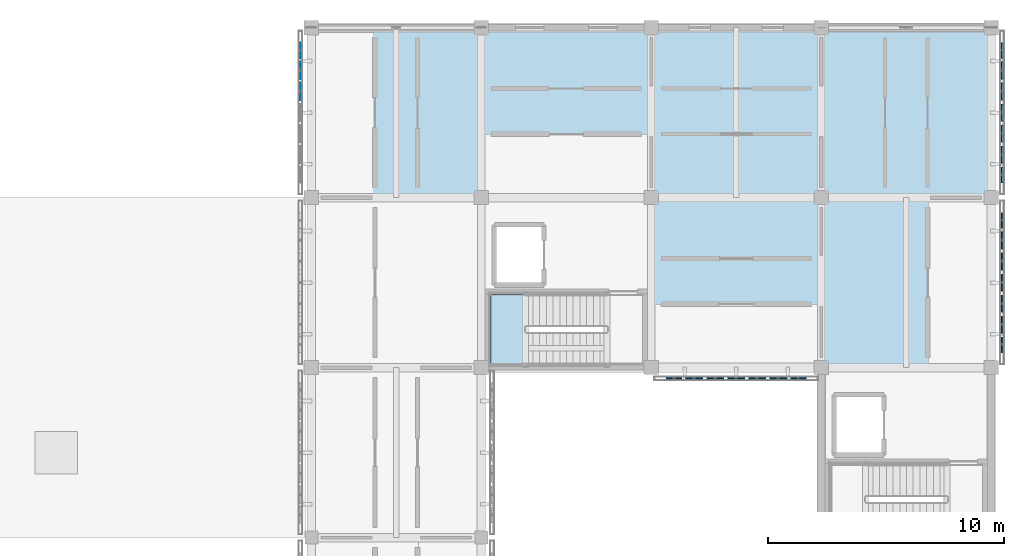
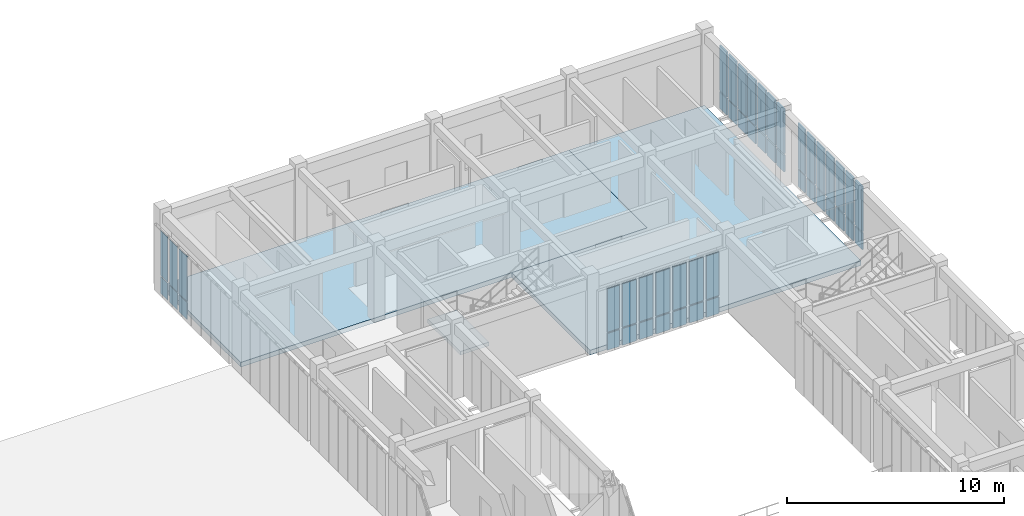
# One storey, part 61 of 91: 48 plates, 3 slabs, 5 elements without a shape of their own.
"""IFC4 building model written with IfcOpenShell, lengths in metres."""

import ifcopenshell
import ifcopenshell.guid

model = None  # the IFC model being written
_history = None  # IfcOwnerHistory: only IFC2X3 demands one
_inside = {}  # id of a spatial element -> (the spatial element, [elements in it])
_under = {}  # id of a project, library or spatial element -> (it, [spatial elements below it])
_declared = {}  # id of a project -> (the project, [libraries it declares])
_typed = {}  # id of a type object -> (the type object, [elements of that type])
_made_of = {}  # id of a material, layer set ... -> (it, [elements and type objects made of it])


def new_model(schema):
    """Start an empty IFC model of exactly this schema.

    Asked for "IFC4X3", IfcOpenShell would pick the latest addendum, in which some entities
    have other attributes; the version numbers below select the first issue.
    IFC2X3 requires an IfcOwnerHistory on every rooted entity: one is made here for all.
    """
    global model, _history
    if schema == "IFC4X3":
        model = ifcopenshell.file(schema_version=(4, 3, 0, 0))
    else:
        model = ifcopenshell.file(schema=schema)
    _inside.clear()
    _under.clear()
    _declared.clear()
    _typed.clear()
    _made_of.clear()
    _history = None
    if model.schema == "IFC2X3":
        org = make("IfcOrganization", Name="unknown")
        user = make(
            "IfcPersonAndOrganization",
            ThePerson=make("IfcPerson", FamilyName="unknown"),
            TheOrganization=org,
        )
        app = make(
            "IfcApplication",
            ApplicationDeveloper=org,
            Version="unknown",
            ApplicationFullName="unknown",
            ApplicationIdentifier="unknown",
        )
        _history = make(
            "IfcOwnerHistory",
            OwningUser=user,
            OwningApplication=app,
            ChangeAction="ADDED",
            CreationDate=0,
        )
    return model


def make(cls, **values):
    """One entity of the class cls with the attributes given. An attribute that is None is left unset."""
    return model.create_entity(
        cls, **{name: value for name, value in values.items() if value is not None}
    )


def rooted(cls, **values):
    """An entity with a GlobalId (a new one), such as an element, a storey or a relation."""
    return make(cls, GlobalId=ifcopenshell.guid.new(), OwnerHistory=_history, **values)


def si_unit(unit_type, name, prefix=None):
    """IfcSIUnit, for example si_unit("LENGTHUNIT", "METRE", prefix="MILLI")."""
    return make("IfcSIUnit", UnitType=unit_type, Prefix=prefix, Name=name)


def assignment(units):
    """IfcUnitAssignment: the units of a project."""
    return None if units is None else make("IfcUnitAssignment", Units=units)


def point(xyz):
    """IfcCartesianPoint."""
    return None if xyz is None else make("IfcCartesianPoint", Coordinates=xyz)


def direction(xyz):
    """IfcDirection."""
    return None if xyz is None else make("IfcDirection", DirectionRatios=xyz)


def frame(location, z_axis=None, x_axis=None):
    """IfcAxis2Placement3D, a coordinate frame: its origin and axes. An axis left out is left unset."""
    return make(
        "IfcAxis2Placement3D",
        Location=point(location),
        Axis=direction(z_axis),
        RefDirection=direction(x_axis),
    )


def frame_2d(location, x_axis=None):
    """IfcAxis2Placement2D, a coordinate frame in the plane: its origin and x axis."""
    return make(
        "IfcAxis2Placement2D", Location=point(location), RefDirection=direction(x_axis)
    )


def origin():
    """The frame at (0, 0, 0) with its axes left unset."""
    return frame((0.0, 0.0, 0.0))


def origin_2d():
    """The frame at (0, 0) in the plane with its x axis left unset."""
    return frame_2d((0.0, 0.0))


def place(relative_to, where):
    """IfcLocalPlacement: puts the frame where relative to a parent placement (None: the world)."""
    return make(
        "IfcLocalPlacement", PlacementRelTo=relative_to, RelativePlacement=where
    )


def context(
    kind, dimensions, precision=None, world=None, true_north=None, identifier=None
):
    """IfcGeometricRepresentationContext, for example the 3D "Model" context."""
    return make(
        "IfcGeometricRepresentationContext",
        ContextIdentifier=identifier,
        ContextType=kind,
        CoordinateSpaceDimension=dimensions,
        Precision=precision,
        WorldCoordinateSystem=world,
        TrueNorth=true_north,
    )


def subcontext(parent, identifier, kind, view, scale=None):
    """IfcGeometricRepresentationSubContext, for example "Body" below "Model"."""
    return make(
        "IfcGeometricRepresentationSubContext",
        ContextIdentifier=identifier,
        ContextType=kind,
        ParentContext=parent,
        TargetScale=scale,
        TargetView=view,
    )


def project(units=None, contexts=None):
    """IfcProject with its units and contexts."""
    return rooted(
        "IfcProject",
        Name="project",
        RepresentationContexts=contexts,
        UnitsInContext=assignment(units),
    )


def spatial(cls, under=None, at=None, **own):
    """A site, building, storey or space (cls), placed at a placement, below another one or the project."""
    s = rooted(cls, ObjectPlacement=at, **own)
    if under is not None:
        _under.setdefault(under.id(), (under, []))[1].append(s)
    return s


def polyline(points):
    """IfcPolyline through the points."""
    return make("IfcPolyline", Points=[point(p) for p in points])


def profile(cls, at=None, kind="AREA", **sizes):
    """A parametric profile (cls). Its sizes go by their IFC names, for example OverallWidth=200.0."""
    return make(cls, ProfileType=kind, Position=at, **sizes)


def rectangle(**sizes):
    """IfcRectangleProfileDef."""
    return profile("IfcRectangleProfileDef", **sizes)


def outline(outer, holes=None, kind="AREA"):
    """IfcArbitraryClosedProfileDef: a profile drawn as a closed curve; with holes, ...WithVoids."""
    if holes is None:
        return make("IfcArbitraryClosedProfileDef", ProfileType=kind, OuterCurve=outer)
    return make(
        "IfcArbitraryProfileDefWithVoids",
        ProfileType=kind,
        OuterCurve=outer,
        InnerCurves=holes,
    )


def extrude(swept, where, along, depth):
    """IfcExtrudedAreaSolid: the profile swept, set in the frame where, extruded along a direction by depth."""
    return make(
        "IfcExtrudedAreaSolid",
        SweptArea=swept,
        Position=where,
        ExtrudedDirection=direction(along),
        Depth=depth,
    )


def shape(context_of_items, identifier, shape_type, items):
    """IfcShapeRepresentation: the items that make up one representation, for example the "Body"."""
    return make(
        "IfcShapeRepresentation",
        ContextOfItems=context_of_items,
        RepresentationIdentifier=identifier,
        RepresentationType=shape_type,
        Items=items,
    )


def material(Name=None, Category=None):
    """IfcMaterial."""
    return make("IfcMaterial", Name=Name, Category=Category)


def layer(
    of_material, thickness, ventilated=None, Name=None, Category=None, Priority=None
):
    """IfcMaterialLayer: one layer of a wall or slab, of a material (None: an air gap)."""
    return make(
        "IfcMaterialLayer",
        Material=of_material,
        LayerThickness=thickness,
        IsVentilated=ventilated,
        Name=Name,
        Category=Category,
        Priority=Priority,
    )


def layer_set(layers, Name=None):
    """IfcMaterialLayerSet."""
    return make("IfcMaterialLayerSet", MaterialLayers=layers, LayerSetName=Name)


def made_of(thing, what):
    """Note that an element or type object is made of a material, layer set ...; save() writes the relation."""
    if what is not None:
        _made_of.setdefault(what.id(), (what, []))[1].append(thing)
    return thing


def type_object(cls, material=None, **own):
    """A type object (cls), such as IfcWallType, which elements share."""
    return made_of(rooted(cls, **own), material)


def element(
    cls,
    number,
    at=None,
    inside=None,
    cuts=None,
    type_object=None,
    material=None,
    context=None,
    identifier="Body",
    shape_type=None,
    held_by="IfcProductDefinitionShape",
    body=None,
    shapes=None,
    **own,
):
    """One element of the class cls, such as IfcWall. Its Tag is "e" and its number.

    at: its placement. inside: the storey or other place that contains it. cuts: it is an
    opening in that element (IfcRelVoidsElement). A single representation is given by context,
    identifier, shape_type and body (its items); several are given by shapes. held_by: the class
    of the entity that holds the representations. save() writes the other relations.
    """
    e = rooted(cls, Tag="e%d" % number, ObjectPlacement=at, **own)
    if body is not None:
        shapes = [shape(context, identifier, shape_type, body)]
    if shapes is not None:
        e.Representation = make(held_by, Representations=shapes)
    if inside is not None:
        _inside.setdefault(inside.id(), (inside, []))[1].append(e)
    if cuts is not None:
        rooted(
            "IfcRelVoidsElement", RelatingBuildingElement=cuts, RelatedOpeningElement=e
        )
    if type_object is not None:
        _typed.setdefault(type_object.id(), (type_object, []))[1].append(e)
    return made_of(e, material)


def aggregate(whole, parts):
    """IfcRelAggregates: a whole, such as a stair, and the parts it consists of."""
    return rooted("IfcRelAggregates", RelatingObject=whole, RelatedObjects=parts)


def save(model, path):
    """Write the relations noted so far, then the file.

    IfcRelAggregates (storeys below a building ...), IfcRelContainedInSpatialStructure (elements
    in a storey), IfcRelDefinesByType, IfcRelAssociatesMaterial and IfcRelDeclares: one each for
    every whole, place, type object, material and project.
    """
    for whole, parts in _under.values():
        aggregate(whole, parts)
    for where, things in _inside.values():
        rooted(
            "IfcRelContainedInSpatialStructure",
            RelatedElements=things,
            RelatingStructure=where,
        )
    for kind, things in _typed.values():
        rooted("IfcRelDefinesByType", RelatedObjects=things, RelatingType=kind)
    for what, things in _made_of.values():
        rooted("IfcRelAssociatesMaterial", RelatedObjects=things, RelatingMaterial=what)
    for by, libraries in _declared.values():
        rooted("IfcRelDeclares", RelatingContext=by, RelatedDefinitions=libraries)
    model.write(path)


model = new_model("IFC4")

# Units and contexts
model_context = context("Model", 3, precision=1e-05, world=origin(), true_north=direction((0.0, 1.0)))
body_context = subcontext(model_context, "Body", "Model", "MODEL_VIEW")
ifc_project = project(units=[si_unit("LENGTHUNIT", "METRE"), si_unit("AREAUNIT", "SQUARE_METRE"), si_unit("VOLUMEUNIT", "CUBIC_METRE"), si_unit("PLANEANGLEUNIT", "RADIAN"), si_unit("MASSUNIT", "GRAM", prefix="KILO")], contexts=[model_context])

# Site, building, storey
site_placement = place(None, origin())
site = spatial("IfcSite", under=ifc_project, at=site_placement, CompositionType="ELEMENT")
building_placement = place(site_placement, origin())
building = spatial("IfcBuilding", under=site, at=building_placement, Name="Aldebral Square Health Centre", CompositionType="ELEMENT")
storey_placement = place(building_placement, frame((0.0, 0.0, 9.0)))
storey = spatial("IfcBuildingStorey", under=building, at=storey_placement, Name="L02", CompositionType="ELEMENT", Elevation=9.0)

# Curtain wall, plates
ifc_material_1 = material(Name="Aluminium and low-E solar glass", Category="aluminium")
curtain_wall_type = type_object("IfcCurtainWallType", Name="CW-FIN-SYS", PredefinedType="USERDEFINED", material=ifc_material_1)
curtain_wall_1_placement = place(storey_placement, origin())
curtain_wall_1 = element("IfcCurtainWall", 1, at=curtain_wall_1_placement, inside=storey, type_object=curtain_wall_type, Name="L02 V5 finned curtain wall L02-V5-19-15-W", ObjectType="SOLAR_CURTAIN_WALL", PredefinedType="USERDEFINED")
ifc_material_2 = material(Name="Solar-control low-E double glass", Category="glass")
ifc_layer_1 = layer(ifc_material_2, 0.02001953125, Name="Solar-control low-E double glass", Category="glass")
ifc_layer_set_1 = layer_set([ifc_layer_1], Name="Solar-control low-E double glass")
plate_type_1 = type_object("IfcPlateType", Name="CWP-GLZ-1", PredefinedType="CURTAIN_PANEL", material=ifc_layer_set_1)
plate_1_placement = place(storey_placement, frame((136.340087890625, 114.234375, 0.074951171875), z_axis=(0.0, 0.0, 1.0), x_axis=(0.0, -1.0, 0.0)))
plate_1 = element("IfcPlate", 2, at=plate_1_placement, type_object=plate_type_1, Name="CW1 panel 1.1", PredefinedType="CURTAIN_PANEL", context=body_context, shape_type="SweptSolid", body=[
    extrude(rectangle(XDim=0.6513671875, YDim=0.02001953125, at=origin_2d()), origin(), (0.0, 0.0, 1.0), 0.9375),
])
plate_2_placement = place(storey_placement, frame((136.340087890625, 114.234375, 1.08740234375), z_axis=(0.0, 0.0, 1.0), x_axis=(0.0, -1.0, 0.0)))
plate_2 = element("IfcPlate", 3, at=plate_2_placement, type_object=plate_type_1, Name="CW1 panel 1.2", PredefinedType="CURTAIN_PANEL", context=body_context, shape_type="SweptSolid", body=[
    extrude(rectangle(XDim=0.6513671875, YDim=0.02001953125, at=origin_2d()), origin(), (0.0, 0.0, 1.0), 2.527587890625),
])
plate_3_placement = place(storey_placement, frame((136.340087890625, 113.3828125, 0.074951171875), z_axis=(0.0, 0.0, 1.0), x_axis=(0.0, -1.0, 0.0)))
plate_3 = element("IfcPlate", 4, at=plate_3_placement, type_object=plate_type_1, Name="CW1 panel 2.1", PredefinedType="CURTAIN_PANEL", context=body_context, shape_type="SweptSolid", body=[
    extrude(rectangle(XDim=0.7314453125, YDim=0.02001953125, at=origin_2d()), origin(), (0.0, 0.0, 1.0), 0.9375),
])
plate_4_placement = place(storey_placement, frame((136.340087890625, 113.3828125, 1.08740234375), z_axis=(0.0, 0.0, 1.0), x_axis=(0.0, -1.0, 0.0)))
plate_4 = element("IfcPlate", 5, at=plate_4_placement, type_object=plate_type_1, Name="CW1 panel 2.2", PredefinedType="CURTAIN_PANEL", context=body_context, shape_type="SweptSolid", body=[
    extrude(rectangle(XDim=0.7314453125, YDim=0.02001953125, at=origin_2d()), origin(), (0.0, 0.0, 1.0), 2.527587890625),
])
plate_5_placement = place(storey_placement, frame((136.340087890625, 112.491455078125, 0.074951171875), z_axis=(0.0, 0.0, 1.0), x_axis=(0.0, -1.0, 0.0)))
plate_5 = element("IfcPlate", 6, at=plate_5_placement, type_object=plate_type_1, Name="CW1 panel 3.1", PredefinedType="CURTAIN_PANEL", context=body_context, shape_type="SweptSolid", body=[
    extrude(rectangle(XDim=0.7314453125, YDim=0.02001953125, at=origin_2d()), origin(), (0.0, 0.0, 1.0), 0.9375),
])
plate_6_placement = place(storey_placement, frame((136.340087890625, 112.491455078125, 1.08740234375), z_axis=(0.0, 0.0, 1.0), x_axis=(0.0, -1.0, 0.0)))
plate_6 = element("IfcPlate", 7, at=plate_6_placement, type_object=plate_type_1, Name="CW1 panel 3.2", PredefinedType="CURTAIN_PANEL", context=body_context, shape_type="SweptSolid", body=[
    extrude(rectangle(XDim=0.7314453125, YDim=0.02001953125, at=origin_2d()), origin(), (0.0, 0.0, 1.0), 2.527587890625),
])
aggregate(curtain_wall_1, [plate_1, plate_2, plate_3, plate_4, plate_5, plate_6])

curtain_wall_2_placement = place(storey_placement, origin())
curtain_wall_2 = element("IfcCurtainWall", 8, at=curtain_wall_2_placement, inside=storey, type_object=curtain_wall_type, Name="L02 V5 finned curtain wall L02-V5-21-14-S", ObjectType="SOLAR_CURTAIN_WALL", PredefinedType="USERDEFINED")
ifc_layer_2 = layer(ifc_material_2, 0.050048828125, Name="Solar-control low-E double glass", Category="glass")
ifc_layer_set_2 = layer_set([ifc_layer_2], Name="Solar-control low-E double glass")
plate_type_2 = type_object("IfcPlateType", Name="CWP-GLZ-4", PredefinedType="CURTAIN_PANEL", material=ifc_layer_set_2)
plate_7_placement = place(storey_placement, frame((152.165771484375, 100.340087890625, 0.074951171875), z_axis=(0.0, 0.0, 1.0), x_axis=(1.0, 0.0, 0.0)))
plate_7 = element("IfcPlate", 9, at=plate_7_placement, type_object=plate_type_2, Name="CW1 panel 1.1", PredefinedType="CURTAIN_PANEL", context=body_context, shape_type="SweptSolid", body=[
    extrude(rectangle(XDim=0.6513671875, YDim=0.050048828125, at=origin_2d()), origin(), (0.0, 0.0, 1.0), 0.9375),
])
plate_8_placement = place(storey_placement, frame((152.165771484375, 100.340087890625, 1.08740234375), z_axis=(0.0, 0.0, 1.0), x_axis=(1.0, 0.0, 0.0)))
plate_8 = element("IfcPlate", 10, at=plate_8_placement, type_object=plate_type_2, Name="CW1 panel 1.2", PredefinedType="CURTAIN_PANEL", context=body_context, shape_type="SweptSolid", body=[
    extrude(rectangle(XDim=0.6513671875, YDim=0.050048828125, at=origin_2d()), origin(), (0.0, 0.0, 1.0), 2.427490234375),
])
plate_9_placement = place(storey_placement, frame((153.01708984375, 100.340087890625, 0.074951171875), z_axis=(0.0, 0.0, 1.0), x_axis=(1.0, 0.0, 0.0)))
plate_9 = element("IfcPlate", 11, at=plate_9_placement, type_object=plate_type_2, Name="CW1 panel 2.1", PredefinedType="CURTAIN_PANEL", context=body_context, shape_type="SweptSolid", body=[
    extrude(rectangle(XDim=0.7314453125, YDim=0.050048828125, at=origin_2d()), origin(), (0.0, 0.0, 1.0), 0.9375),
])
plate_10_placement = place(storey_placement, frame((153.01708984375, 100.340087890625, 1.08740234375), z_axis=(0.0, 0.0, 1.0), x_axis=(1.0, 0.0, 0.0)))
plate_10 = element("IfcPlate", 12, at=plate_10_placement, type_object=plate_type_2, Name="CW1 panel 2.2", PredefinedType="CURTAIN_PANEL", context=body_context, shape_type="SweptSolid", body=[
    extrude(rectangle(XDim=0.7314453125, YDim=0.050048828125, at=origin_2d()), origin(), (0.0, 0.0, 1.0), 2.427490234375),
])
plate_11_placement = place(storey_placement, frame((153.90869140625, 100.340087890625, 0.074951171875), z_axis=(0.0, 0.0, 1.0), x_axis=(1.0, 0.0, 0.0)))
plate_11 = element("IfcPlate", 13, at=plate_11_placement, type_object=plate_type_2, Name="CW1 panel 3.1", PredefinedType="CURTAIN_PANEL", context=body_context, shape_type="SweptSolid", body=[
    extrude(rectangle(XDim=0.7314453125, YDim=0.050048828125, at=origin_2d()), origin(), (0.0, 0.0, 1.0), 0.9375),
])
plate_12_placement = place(storey_placement, frame((153.90869140625, 100.340087890625, 1.08740234375), z_axis=(0.0, 0.0, 1.0), x_axis=(1.0, 0.0, 0.0)))
plate_12 = element("IfcPlate", 14, at=plate_12_placement, type_object=plate_type_2, Name="CW1 panel 3.2", PredefinedType="CURTAIN_PANEL", context=body_context, shape_type="SweptSolid", body=[
    extrude(rectangle(XDim=0.7314453125, YDim=0.050048828125, at=origin_2d()), origin(), (0.0, 0.0, 1.0), 2.427490234375),
])
plate_13_placement = place(storey_placement, frame((154.800048828125, 100.340087890625, 0.074951171875), z_axis=(0.0, 0.0, 1.0), x_axis=(1.0, 0.0, 0.0)))
plate_13 = element("IfcPlate", 15, at=plate_13_placement, type_object=plate_type_2, Name="CW1 panel 4.1", PredefinedType="CURTAIN_PANEL", context=body_context, shape_type="SweptSolid", body=[
    extrude(rectangle(XDim=0.7314453125, YDim=0.050048828125, at=origin_2d()), origin(), (0.0, 0.0, 1.0), 0.9375),
])
plate_14_placement = place(storey_placement, frame((154.800048828125, 100.340087890625, 1.08740234375), z_axis=(0.0, 0.0, 1.0), x_axis=(1.0, 0.0, 0.0)))
plate_14 = element("IfcPlate", 16, at=plate_14_placement, type_object=plate_type_2, Name="CW1 panel 4.2", PredefinedType="CURTAIN_PANEL", context=body_context, shape_type="SweptSolid", body=[
    extrude(rectangle(XDim=0.7314453125, YDim=0.050048828125, at=origin_2d()), origin(), (0.0, 0.0, 1.0), 2.427490234375),
])
plate_15_placement = place(storey_placement, frame((155.69140625, 100.340087890625, 0.074951171875), z_axis=(0.0, 0.0, 1.0), x_axis=(1.0, 0.0, 0.0)))
plate_15 = element("IfcPlate", 17, at=plate_15_placement, type_object=plate_type_2, Name="CW1 panel 5.1", PredefinedType="CURTAIN_PANEL", context=body_context, shape_type="SweptSolid", body=[
    extrude(rectangle(XDim=0.7314453125, YDim=0.050048828125, at=origin_2d()), origin(), (0.0, 0.0, 1.0), 0.9375),
])
plate_16_placement = place(storey_placement, frame((155.69140625, 100.340087890625, 1.08740234375), z_axis=(0.0, 0.0, 1.0), x_axis=(1.0, 0.0, 0.0)))
plate_16 = element("IfcPlate", 18, at=plate_16_placement, type_object=plate_type_2, Name="CW1 panel 5.2", PredefinedType="CURTAIN_PANEL", context=body_context, shape_type="SweptSolid", body=[
    extrude(rectangle(XDim=0.7314453125, YDim=0.050048828125, at=origin_2d()), origin(), (0.0, 0.0, 1.0), 2.427490234375),
])
plate_17_placement = place(storey_placement, frame((156.582763671875, 100.340087890625, 0.074951171875), z_axis=(0.0, 0.0, 1.0), x_axis=(1.0, 0.0, 0.0)))
plate_17 = element("IfcPlate", 19, at=plate_17_placement, type_object=plate_type_2, Name="CW1 panel 6.1", PredefinedType="CURTAIN_PANEL", context=body_context, shape_type="SweptSolid", body=[
    extrude(rectangle(XDim=0.7314453125, YDim=0.050048828125, at=origin_2d()), origin(), (0.0, 0.0, 1.0), 0.9375),
])
plate_18_placement = place(storey_placement, frame((156.582763671875, 100.340087890625, 1.08740234375), z_axis=(0.0, 0.0, 1.0), x_axis=(1.0, 0.0, 0.0)))
plate_18 = element("IfcPlate", 20, at=plate_18_placement, type_object=plate_type_2, Name="CW1 panel 6.2", PredefinedType="CURTAIN_PANEL", context=body_context, shape_type="SweptSolid", body=[
    extrude(rectangle(XDim=0.7314453125, YDim=0.050048828125, at=origin_2d()), origin(), (0.0, 0.0, 1.0), 2.427490234375),
])
plate_19_placement = place(storey_placement, frame((157.434326171875, 100.340087890625, 0.074951171875), z_axis=(0.0, 0.0, 1.0), x_axis=(1.0, 0.0, 0.0)))
plate_19 = element("IfcPlate", 21, at=plate_19_placement, type_object=plate_type_2, Name="CW1 panel 7.1", PredefinedType="CURTAIN_PANEL", context=body_context, shape_type="SweptSolid", body=[
    extrude(rectangle(XDim=0.6513671875, YDim=0.050048828125, at=origin_2d()), origin(), (0.0, 0.0, 1.0), 0.9375),
])
plate_20_placement = place(storey_placement, frame((157.434326171875, 100.340087890625, 1.08740234375), z_axis=(0.0, 0.0, 1.0), x_axis=(1.0, 0.0, 0.0)))
plate_20 = element("IfcPlate", 22, at=plate_20_placement, type_object=plate_type_2, Name="CW1 panel 7.2", PredefinedType="CURTAIN_PANEL", context=body_context, shape_type="SweptSolid", body=[
    extrude(rectangle(XDim=0.6513671875, YDim=0.050048828125, at=origin_2d()), origin(), (0.0, 0.0, 1.0), 2.427490234375),
])
aggregate(curtain_wall_2, [plate_7, plate_8, plate_9, plate_10, plate_11, plate_12, plate_13, plate_14, plate_15, plate_16, plate_17, plate_18, plate_19, plate_20])

curtain_wall_3_placement = place(storey_placement, origin())
curtain_wall_3 = element("IfcCurtainWall", 23, at=curtain_wall_3_placement, inside=storey, type_object=curtain_wall_type, Name="L02 V5 finned curtain wall L02-V5-22-14-E", ObjectType="SOLAR_CURTAIN_WALL", PredefinedType="USERDEFINED")
ifc_layer_3 = layer(ifc_material_2, 0.070068359375, Name="Solar-control low-E double glass", Category="glass")
ifc_layer_set_3 = layer_set([ifc_layer_3], Name="Solar-control low-E double glass")
plate_type_3 = type_object("IfcPlateType", Name="CWP-GLZ-6", PredefinedType="CURTAIN_PANEL", material=ifc_layer_set_3)
plate_21_placement = place(storey_placement, frame((166.06005859375, 101.765625, 0.074951171875), z_axis=(0.0, 0.0, 1.0), x_axis=(0.0, 1.0, 0.0)))
plate_21 = element("IfcPlate", 24, at=plate_21_placement, type_object=plate_type_3, Name="CW1 panel 1.1", PredefinedType="CURTAIN_PANEL", context=body_context, shape_type="SweptSolid", body=[
    extrude(rectangle(XDim=0.6513671875, YDim=0.070068359375, at=origin_2d()), origin(), (0.0, 0.0, 1.0), 0.9375),
])
plate_22_placement = place(storey_placement, frame((166.06005859375, 101.765625, 1.08740234375), z_axis=(0.0, 0.0, 1.0), x_axis=(0.0, 1.0, 0.0)))
plate_22 = element("IfcPlate", 25, at=plate_22_placement, type_object=plate_type_3, Name="CW1 panel 1.2", PredefinedType="CURTAIN_PANEL", context=body_context, shape_type="SweptSolid", body=[
    extrude(rectangle(XDim=0.6513671875, YDim=0.070068359375, at=origin_2d()), origin(), (0.0, 0.0, 1.0), 2.527587890625),
])
plate_23_placement = place(storey_placement, frame((166.06005859375, 102.6171875, 0.074951171875), z_axis=(0.0, 0.0, 1.0), x_axis=(0.0, 1.0, 0.0)))
plate_23 = element("IfcPlate", 26, at=plate_23_placement, type_object=plate_type_3, Name="CW1 panel 2.1", PredefinedType="CURTAIN_PANEL", context=body_context, shape_type="SweptSolid", body=[
    extrude(rectangle(XDim=0.7314453125, YDim=0.070068359375, at=origin_2d()), origin(), (0.0, 0.0, 1.0), 0.9375),
])
plate_24_placement = place(storey_placement, frame((166.06005859375, 102.6171875, 1.08740234375), z_axis=(0.0, 0.0, 1.0), x_axis=(0.0, 1.0, 0.0)))
plate_24 = element("IfcPlate", 27, at=plate_24_placement, type_object=plate_type_3, Name="CW1 panel 2.2", PredefinedType="CURTAIN_PANEL", context=body_context, shape_type="SweptSolid", body=[
    extrude(rectangle(XDim=0.7314453125, YDim=0.070068359375, at=origin_2d()), origin(), (0.0, 0.0, 1.0), 2.527587890625),
])
plate_25_placement = place(storey_placement, frame((166.06005859375, 103.508544921875, 0.074951171875), z_axis=(0.0, 0.0, 1.0), x_axis=(0.0, 1.0, 0.0)))
plate_25 = element("IfcPlate", 28, at=plate_25_placement, type_object=plate_type_3, Name="CW1 panel 3.1", PredefinedType="CURTAIN_PANEL", context=body_context, shape_type="SweptSolid", body=[
    extrude(rectangle(XDim=0.7314453125, YDim=0.070068359375, at=origin_2d()), origin(), (0.0, 0.0, 1.0), 0.9375),
])
plate_26_placement = place(storey_placement, frame((166.06005859375, 103.508544921875, 1.08740234375), z_axis=(0.0, 0.0, 1.0), x_axis=(0.0, 1.0, 0.0)))
plate_26 = element("IfcPlate", 29, at=plate_26_placement, type_object=plate_type_3, Name="CW1 panel 3.2", PredefinedType="CURTAIN_PANEL", context=body_context, shape_type="SweptSolid", body=[
    extrude(rectangle(XDim=0.7314453125, YDim=0.070068359375, at=origin_2d()), origin(), (0.0, 0.0, 1.0), 2.527587890625),
])
plate_27_placement = place(storey_placement, frame((166.06005859375, 104.39990234375, 0.074951171875), z_axis=(0.0, 0.0, 1.0), x_axis=(0.0, 1.0, 0.0)))
plate_27 = element("IfcPlate", 30, at=plate_27_placement, type_object=plate_type_3, Name="CW1 panel 4.1", PredefinedType="CURTAIN_PANEL", context=body_context, shape_type="SweptSolid", body=[
    extrude(rectangle(XDim=0.7314453125, YDim=0.070068359375, at=origin_2d()), origin(), (0.0, 0.0, 1.0), 0.9375),
])
plate_28_placement = place(storey_placement, frame((166.06005859375, 104.39990234375, 1.08740234375), z_axis=(0.0, 0.0, 1.0), x_axis=(0.0, 1.0, 0.0)))
plate_28 = element("IfcPlate", 31, at=plate_28_placement, type_object=plate_type_3, Name="CW1 panel 4.2", PredefinedType="CURTAIN_PANEL", context=body_context, shape_type="SweptSolid", body=[
    extrude(rectangle(XDim=0.7314453125, YDim=0.070068359375, at=origin_2d()), origin(), (0.0, 0.0, 1.0), 2.527587890625),
])
plate_29_placement = place(storey_placement, frame((166.06005859375, 105.29150390625, 0.074951171875), z_axis=(0.0, 0.0, 1.0), x_axis=(0.0, 1.0, 0.0)))
plate_29 = element("IfcPlate", 32, at=plate_29_placement, type_object=plate_type_3, Name="CW1 panel 5.1", PredefinedType="CURTAIN_PANEL", context=body_context, shape_type="SweptSolid", body=[
    extrude(rectangle(XDim=0.7314453125, YDim=0.070068359375, at=origin_2d()), origin(), (0.0, 0.0, 1.0), 0.9375),
])
plate_30_placement = place(storey_placement, frame((166.06005859375, 105.29150390625, 1.08740234375), z_axis=(0.0, 0.0, 1.0), x_axis=(0.0, 1.0, 0.0)))
plate_30 = element("IfcPlate", 33, at=plate_30_placement, type_object=plate_type_3, Name="CW1 panel 5.2", PredefinedType="CURTAIN_PANEL", context=body_context, shape_type="SweptSolid", body=[
    extrude(rectangle(XDim=0.7314453125, YDim=0.070068359375, at=origin_2d()), origin(), (0.0, 0.0, 1.0), 2.527587890625),
])
plate_31_placement = place(storey_placement, frame((166.06005859375, 106.182861328125, 0.074951171875), z_axis=(0.0, 0.0, 1.0), x_axis=(0.0, 1.0, 0.0)))
plate_31 = element("IfcPlate", 34, at=plate_31_placement, type_object=plate_type_3, Name="CW1 panel 6.1", PredefinedType="CURTAIN_PANEL", context=body_context, shape_type="SweptSolid", body=[
    extrude(rectangle(XDim=0.7314453125, YDim=0.070068359375, at=origin_2d()), origin(), (0.0, 0.0, 1.0), 0.9375),
])
plate_32_placement = place(storey_placement, frame((166.06005859375, 106.182861328125, 1.08740234375), z_axis=(0.0, 0.0, 1.0), x_axis=(0.0, 1.0, 0.0)))
plate_32 = element("IfcPlate", 35, at=plate_32_placement, type_object=plate_type_3, Name="CW1 panel 6.2", PredefinedType="CURTAIN_PANEL", context=body_context, shape_type="SweptSolid", body=[
    extrude(rectangle(XDim=0.7314453125, YDim=0.070068359375, at=origin_2d()), origin(), (0.0, 0.0, 1.0), 2.527587890625),
])
plate_33_placement = place(storey_placement, frame((166.06005859375, 107.0341796875, 0.074951171875), z_axis=(0.0, 0.0, 1.0), x_axis=(0.0, 1.0, 0.0)))
plate_33 = element("IfcPlate", 36, at=plate_33_placement, type_object=plate_type_3, Name="CW1 panel 7.1", PredefinedType="CURTAIN_PANEL", context=body_context, shape_type="SweptSolid", body=[
    extrude(rectangle(XDim=0.6513671875, YDim=0.070068359375, at=origin_2d()), origin(), (0.0, 0.0, 1.0), 0.9375),
])
plate_34_placement = place(storey_placement, frame((166.06005859375, 107.0341796875, 1.08740234375), z_axis=(0.0, 0.0, 1.0), x_axis=(0.0, 1.0, 0.0)))
plate_34 = element("IfcPlate", 37, at=plate_34_placement, type_object=plate_type_3, Name="CW1 panel 7.2", PredefinedType="CURTAIN_PANEL", context=body_context, shape_type="SweptSolid", body=[
    extrude(rectangle(XDim=0.6513671875, YDim=0.070068359375, at=origin_2d()), origin(), (0.0, 0.0, 1.0), 2.527587890625),
])
aggregate(curtain_wall_3, [plate_21, plate_22, plate_23, plate_24, plate_25, plate_26, plate_27, plate_28, plate_29, plate_30, plate_31, plate_32, plate_33, plate_34])

curtain_wall_4_placement = place(storey_placement, origin())
curtain_wall_4 = element("IfcCurtainWall", 38, at=curtain_wall_4_placement, inside=storey, type_object=curtain_wall_type, Name="L02 V5 finned curtain wall L02-V5-22-15-E", ObjectType="SOLAR_CURTAIN_WALL", PredefinedType="USERDEFINED")
ifc_layer_4 = layer(ifc_material_2, 0.080078125, Name="Solar-control low-E double glass", Category="glass")
ifc_layer_set_4 = layer_set([ifc_layer_4], Name="Solar-control low-E double glass")
plate_type_4 = type_object("IfcPlateType", Name="CWP-GLZ-7", PredefinedType="CURTAIN_PANEL", material=ifc_layer_set_4)
plate_35_placement = place(storey_placement, frame((166.06005859375, 108.9658203125, 0.074951171875), z_axis=(0.0, 0.0, 1.0), x_axis=(0.0, 1.0, 0.0)))
plate_35 = element("IfcPlate", 39, at=plate_35_placement, type_object=plate_type_4, Name="CW1 panel 1.1", PredefinedType="CURTAIN_PANEL", context=body_context, shape_type="SweptSolid", body=[
    extrude(rectangle(XDim=0.6513671875, YDim=0.080078125, at=origin_2d()), origin(), (0.0, 0.0, 1.0), 0.9375),
])
plate_36_placement = place(storey_placement, frame((166.06005859375, 108.9658203125, 1.08740234375), z_axis=(0.0, 0.0, 1.0), x_axis=(0.0, 1.0, 0.0)))
plate_36 = element("IfcPlate", 40, at=plate_36_placement, type_object=plate_type_4, Name="CW1 panel 1.2", PredefinedType="CURTAIN_PANEL", context=body_context, shape_type="SweptSolid", body=[
    extrude(rectangle(XDim=0.6513671875, YDim=0.080078125, at=origin_2d()), origin(), (0.0, 0.0, 1.0), 2.527587890625),
])
plate_37_placement = place(storey_placement, frame((166.06005859375, 109.817138671875, 0.074951171875), z_axis=(0.0, 0.0, 1.0), x_axis=(0.0, 1.0, 0.0)))
plate_37 = element("IfcPlate", 41, at=plate_37_placement, type_object=plate_type_4, Name="CW1 panel 2.1", PredefinedType="CURTAIN_PANEL", context=body_context, shape_type="SweptSolid", body=[
    extrude(rectangle(XDim=0.7314453125, YDim=0.080078125, at=origin_2d()), origin(), (0.0, 0.0, 1.0), 0.9375),
])
plate_38_placement = place(storey_placement, frame((166.06005859375, 109.817138671875, 1.08740234375), z_axis=(0.0, 0.0, 1.0), x_axis=(0.0, 1.0, 0.0)))
plate_38 = element("IfcPlate", 42, at=plate_38_placement, type_object=plate_type_4, Name="CW1 panel 2.2", PredefinedType="CURTAIN_PANEL", context=body_context, shape_type="SweptSolid", body=[
    extrude(rectangle(XDim=0.7314453125, YDim=0.080078125, at=origin_2d()), origin(), (0.0, 0.0, 1.0), 2.527587890625),
])
plate_39_placement = place(storey_placement, frame((166.06005859375, 110.70849609375, 0.074951171875), z_axis=(0.0, 0.0, 1.0), x_axis=(0.0, 1.0, 0.0)))
plate_39 = element("IfcPlate", 43, at=plate_39_placement, type_object=plate_type_4, Name="CW1 panel 3.1", PredefinedType="CURTAIN_PANEL", context=body_context, shape_type="SweptSolid", body=[
    extrude(rectangle(XDim=0.7314453125, YDim=0.080078125, at=origin_2d()), origin(), (0.0, 0.0, 1.0), 0.9375),
])
plate_40_placement = place(storey_placement, frame((166.06005859375, 110.70849609375, 1.08740234375), z_axis=(0.0, 0.0, 1.0), x_axis=(0.0, 1.0, 0.0)))
plate_40 = element("IfcPlate", 44, at=plate_40_placement, type_object=plate_type_4, Name="CW1 panel 3.2", PredefinedType="CURTAIN_PANEL", context=body_context, shape_type="SweptSolid", body=[
    extrude(rectangle(XDim=0.7314453125, YDim=0.080078125, at=origin_2d()), origin(), (0.0, 0.0, 1.0), 2.527587890625),
])
plate_41_placement = place(storey_placement, frame((166.06005859375, 111.60009765625, 0.074951171875), z_axis=(0.0, 0.0, 1.0), x_axis=(0.0, 1.0, 0.0)))
plate_41 = element("IfcPlate", 45, at=plate_41_placement, type_object=plate_type_4, Name="CW1 panel 4.1", PredefinedType="CURTAIN_PANEL", context=body_context, shape_type="SweptSolid", body=[
    extrude(rectangle(XDim=0.7314453125, YDim=0.080078125, at=origin_2d()), origin(), (0.0, 0.0, 1.0), 0.9375),
])
plate_42_placement = place(storey_placement, frame((166.06005859375, 111.60009765625, 1.08740234375), z_axis=(0.0, 0.0, 1.0), x_axis=(0.0, 1.0, 0.0)))
plate_42 = element("IfcPlate", 46, at=plate_42_placement, type_object=plate_type_4, Name="CW1 panel 4.2", PredefinedType="CURTAIN_PANEL", context=body_context, shape_type="SweptSolid", body=[
    extrude(rectangle(XDim=0.7314453125, YDim=0.080078125, at=origin_2d()), origin(), (0.0, 0.0, 1.0), 2.527587890625),
])
plate_43_placement = place(storey_placement, frame((166.06005859375, 112.491455078125, 0.074951171875), z_axis=(0.0, 0.0, 1.0), x_axis=(0.0, 1.0, 0.0)))
plate_43 = element("IfcPlate", 47, at=plate_43_placement, type_object=plate_type_4, Name="CW1 panel 5.1", PredefinedType="CURTAIN_PANEL", context=body_context, shape_type="SweptSolid", body=[
    extrude(rectangle(XDim=0.7314453125, YDim=0.080078125, at=origin_2d()), origin(), (0.0, 0.0, 1.0), 0.9375),
])
plate_44_placement = place(storey_placement, frame((166.06005859375, 112.491455078125, 1.08740234375), z_axis=(0.0, 0.0, 1.0), x_axis=(0.0, 1.0, 0.0)))
plate_44 = element("IfcPlate", 48, at=plate_44_placement, type_object=plate_type_4, Name="CW1 panel 5.2", PredefinedType="CURTAIN_PANEL", context=body_context, shape_type="SweptSolid", body=[
    extrude(rectangle(XDim=0.7314453125, YDim=0.080078125, at=origin_2d()), origin(), (0.0, 0.0, 1.0), 2.527587890625),
])
plate_45_placement = place(storey_placement, frame((166.06005859375, 113.3828125, 0.074951171875), z_axis=(0.0, 0.0, 1.0), x_axis=(0.0, 1.0, 0.0)))
plate_45 = element("IfcPlate", 49, at=plate_45_placement, type_object=plate_type_4, Name="CW1 panel 6.1", PredefinedType="CURTAIN_PANEL", context=body_context, shape_type="SweptSolid", body=[
    extrude(rectangle(XDim=0.7314453125, YDim=0.080078125, at=origin_2d()), origin(), (0.0, 0.0, 1.0), 0.9375),
])
plate_46_placement = place(storey_placement, frame((166.06005859375, 113.3828125, 1.08740234375), z_axis=(0.0, 0.0, 1.0), x_axis=(0.0, 1.0, 0.0)))
plate_46 = element("IfcPlate", 50, at=plate_46_placement, type_object=plate_type_4, Name="CW1 panel 6.2", PredefinedType="CURTAIN_PANEL", context=body_context, shape_type="SweptSolid", body=[
    extrude(rectangle(XDim=0.7314453125, YDim=0.080078125, at=origin_2d()), origin(), (0.0, 0.0, 1.0), 2.527587890625),
])
plate_47_placement = place(storey_placement, frame((166.06005859375, 114.234375, 0.074951171875), z_axis=(0.0, 0.0, 1.0), x_axis=(0.0, 1.0, 0.0)))
plate_47 = element("IfcPlate", 51, at=plate_47_placement, type_object=plate_type_4, Name="CW1 panel 7.1", PredefinedType="CURTAIN_PANEL", context=body_context, shape_type="SweptSolid", body=[
    extrude(rectangle(XDim=0.6513671875, YDim=0.080078125, at=origin_2d()), origin(), (0.0, 0.0, 1.0), 0.9375),
])
plate_48_placement = place(storey_placement, frame((166.06005859375, 114.234375, 1.08740234375), z_axis=(0.0, 0.0, 1.0), x_axis=(0.0, 1.0, 0.0)))
plate_48 = element("IfcPlate", 52, at=plate_48_placement, type_object=plate_type_4, Name="CW1 panel 7.2", PredefinedType="CURTAIN_PANEL", context=body_context, shape_type="SweptSolid", body=[
    extrude(rectangle(XDim=0.6513671875, YDim=0.080078125, at=origin_2d()), origin(), (0.0, 0.0, 1.0), 2.527587890625),
])
aggregate(curtain_wall_4, [plate_35, plate_36, plate_37, plate_38, plate_39, plate_40, plate_41, plate_42, plate_43, plate_44, plate_45, plate_46, plate_47, plate_48])

# Slabs
ifc_material_3 = material(Name="Concrete C35/45", Category="concrete")
ifc_layer_5 = layer(ifc_material_3, 0.260009765625, Name="Concrete C35/45", Category="concrete")
ifc_layer_set_5 = layer_set([ifc_layer_5], Name="Concrete C35/45")
slab_type_1 = type_object("IfcSlabType", Name="SL-FLR-260", PredefinedType="FLOOR", material=ifc_layer_set_5)
slab_1_placement = place(storey_placement, frame((0.0, 0.0, -0.260009765625)))
element("IfcSlab", 53, at=slab_1_placement, inside=storey, type_object=slab_type_1, Name="L02 V5 floor slab 5", PredefinedType="FLOOR", context=body_context, shape_type="SweptSolid", body=[
    extrude(outline(polyline([(136.800048828125, 115.199951171875), (144.0, 115.199951171875), (151.199951171875, 115.199951171875), (158.39990234375, 115.199951171875), (158.39990234375, 108.0), (151.199951171875, 108.0), (144.0, 108.0), (136.800048828125, 108.0), (136.800048828125, 115.199951171875)])), origin(), (0.0, 0.0, 1.0), 0.260009765625),
])
slab_2_placement = place(storey_placement, frame((0.0, 0.0, -0.260009765625)))
element("IfcSlab", 54, at=slab_2_placement, inside=storey, type_object=slab_type_1, Name="L02 V5 floor slab 7", PredefinedType="FLOOR", context=body_context, shape_type="SweptSolid", body=[
    extrude(outline(polyline([(151.199951171875, 108.0), (158.39990234375, 108.0), (158.39990234375, 115.199951171875), (165.60009765625, 115.199951171875), (165.60009765625, 108.0), (165.60009765625, 100.800048828125), (158.39990234375, 100.800048828125), (151.199951171875, 100.800048828125), (151.199951171875, 108.0)])), origin(), (0.0, 0.0, 1.0), 0.260009765625),
])

# Stair, slab
stair_type = type_object("IfcStairType", Name="ST-DOG-140", PredefinedType="HALF_TURN_STAIR", material=ifc_material_3)
stair_placement = place(storey_placement, origin())
stair = element("IfcStair", 55, at=stair_placement, inside=storey, type_object=stair_type, Name="L02 ST-04", PredefinedType="HALF_TURN_STAIR")
ifc_layer_6 = layer(ifc_material_3, 0.199951171875, Name="Concrete C35/45", Category="concrete")
ifc_layer_set_6 = layer_set([ifc_layer_6], Name="Concrete C35/45")
slab_type_2 = type_object("IfcSlabType", Name="SL-LND-200", PredefinedType="LANDING", material=ifc_layer_set_6)
slab_3_placement = place(storey_placement, frame((0.0, 0.0, 2.050048828125)))
slab_3 = element("IfcSlab", 56, at=slab_3_placement, type_object=slab_type_2, Name="ST-04 landing 1", PredefinedType="LANDING", context=body_context, shape_type="SweptSolid", body=[
    extrude(outline(polyline([(145.89990234375, 103.919921875), (144.3798828125, 103.919921875), (144.3798828125, 100.919921875), (145.89990234375, 100.919921875), (145.89990234375, 103.919921875)])), origin(), (0.0, 0.0, 1.0), 0.199951171875),
])
aggregate(stair, [slab_3])

save(model, "model.ifc")
